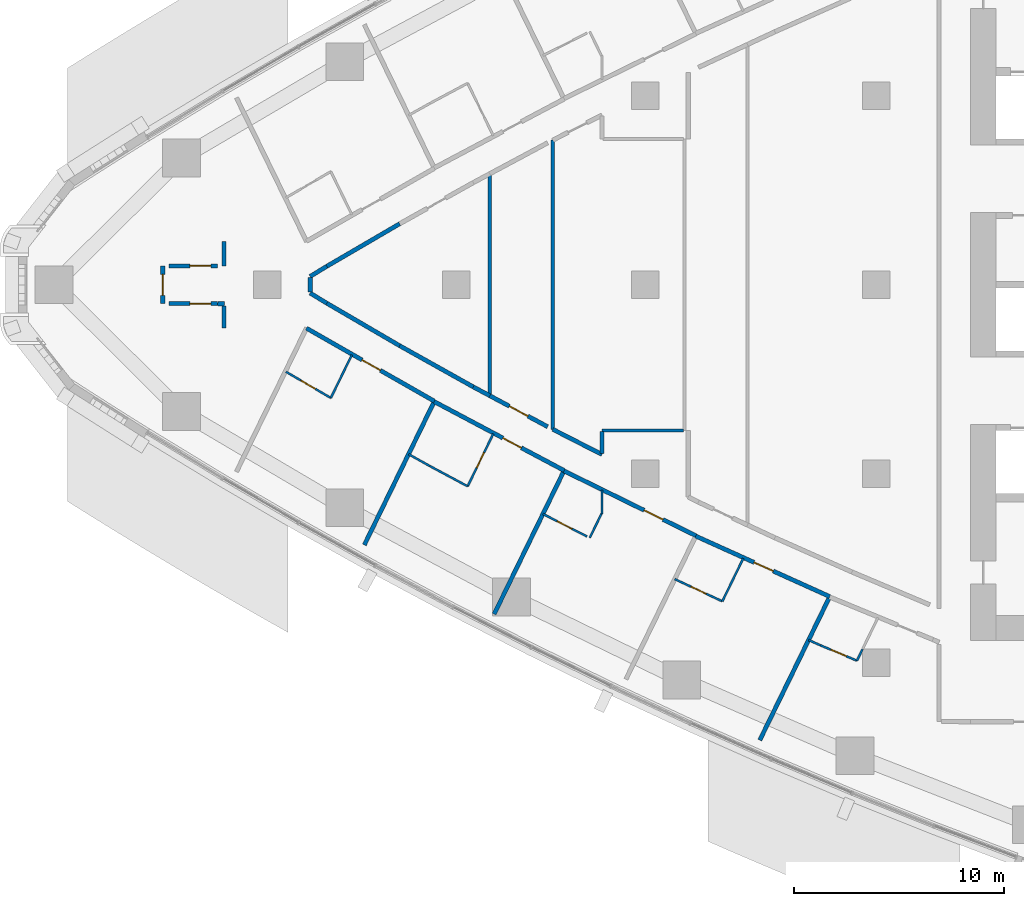
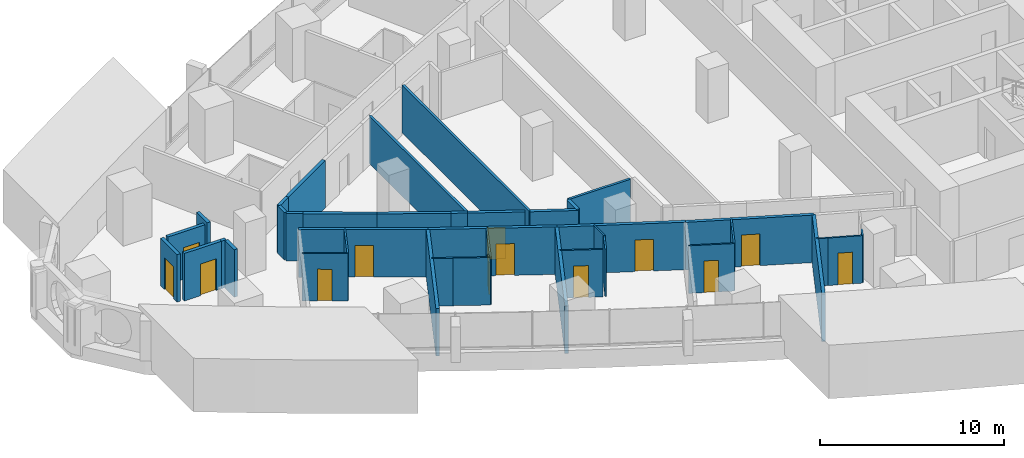
# One storey, part 9 of 19: 39 walls, 13 doors, 13 openings.
"""IFC4 building model written with IfcOpenShell, lengths in metres."""

from ifc_helpers import new_model, si_unit, direction, frame, frame_2d, origin, place, context, subcontext, project, spatial, rectangle, extrude, material, layer, layer_set, type_object, element, fill, save


model = new_model("IFC4")

# Units and contexts
model_context = context("Model", 3, precision=1e-05, world=origin(), true_north=direction((0.0, 1.0)))
body_context = subcontext(model_context, "Body", "Model", "MODEL_VIEW")
ifc_project = project(units=[si_unit("LENGTHUNIT", "METRE"), si_unit("AREAUNIT", "SQUARE_METRE"), si_unit("VOLUMEUNIT", "CUBIC_METRE"), si_unit("PLANEANGLEUNIT", "RADIAN"), si_unit("MASSUNIT", "GRAM", prefix="KILO")], contexts=[model_context])

# Site, building, storey
site_placement = place(None, origin())
site = spatial("IfcSite", under=ifc_project, at=site_placement, CompositionType="ELEMENT")
building_placement = place(site_placement, origin())
building = spatial("IfcBuilding", under=site, at=building_placement, Name="Ostrand Prow Hotel Tower", CompositionType="ELEMENT")
storey_placement = place(building_placement, frame((0.0, 0.0, 71.550048828125)))
storey = spatial("IfcBuildingStorey", under=building, at=storey_placement, Name="L16", CompositionType="ELEMENT", Elevation=71.550048828125)

# Wall
ifc_material_1 = material(Name="Plasterboard partition")
ifc_layer_1 = layer(ifc_material_1, 0.10009765625)
ifc_layer_set_1 = layer_set([ifc_layer_1], Name="Plasterboard partition")
wall_type_1 = type_object("IfcWallType", Name="Partition 100 bathroom wall", PredefinedType="PARTITIONING", material=ifc_layer_set_1)
wall_1_placement = place(storey_placement, frame((20.035400390625, -3.338134765625, 0.0), z_axis=(0.0, 0.0, 1.0), x_axis=(-0.438122322582, -0.898915363344, 0.0)))
element("IfcWall", 1, at=wall_1_placement, inside=storey, type_object=wall_type_1, Name="BATHROOM WALL", PredefinedType="PARTITIONING", context=body_context, shape_type="SweptSolid", body=[
    extrude(rectangle(XDim=2.282958984375, YDim=0.10009765625, at=frame_2d((1.1416015625, 0.0))), origin(), (0.0, 0.0, 1.0), 3.14990234375),
])

# Wall, opening, door
wall_2_placement = place(storey_placement, frame((19.034912109375, -5.390380859375, 0.0), z_axis=(0.0, 0.0, 1.0), x_axis=(-0.863707305865, 0.503993739837, 0.0)))
wall_2 = element("IfcWall", 2, at=wall_2_placement, inside=storey, type_object=wall_type_1, Name="BATHROOM WALL", PredefinedType="PARTITIONING", context=body_context, shape_type="SweptSolid", body=[
    extrude(rectangle(XDim=2.473876953125, YDim=0.10009765625, at=frame_2d((1.23681640625, 0.0))), origin(), (0.0, 0.0, 1.0), 3.14990234375),
])
opening_1_placement = place(wall_2_placement, frame((0.85009765625, 0.0, 0.0)))
opening_1 = element("IfcOpeningElement", 3, at=opening_1_placement, cuts=wall_2, Name="Opening D2", PredefinedType="OPENING", context=body_context, shape_type="SweptSolid", body=[
    extrude(rectangle(XDim=0.800048828125, YDim=2.10009765625, at=frame_2d((0.39990234375, 1.050048828125))), frame((0.0, 0.06005859375, 0.0), z_axis=(0.0, -1.0, 0.0), x_axis=(1.0, 0.0, 0.0)), (0.0, 0.0, 1.0), 0.1201171875),
])
ifc_material_2 = material(Name="Timber door leaf", Category="wood")
door_type_1 = type_object("IfcDoorType", Name="Bathroom door 800", OperationType="SINGLE_SWING_LEFT", PredefinedType="DOOR", material=ifc_material_2)
door_1_placement = place(opening_1_placement, origin())
door_1 = element("IfcDoor", 4, at=door_1_placement, inside=storey, type_object=door_type_1, Name="DOOR", OperationType="SINGLE_SWING_LEFT", OverallHeight=2.10009765625, OverallWidth=0.800048828125, PredefinedType="DOOR", context=body_context, shape_type="SweptSolid", body=[
    extrude(rectangle(XDim=0.800048828125, YDim=2.10009765625, at=frame_2d((0.39990234375, 1.050048828125))), frame((0.0, 0.02490234375, 0.0), z_axis=(0.0, -1.0, 0.0), x_axis=(1.0, 0.0, 0.0)), (0.0, 0.0, 1.0), 0.050048828125),
])
fill(opening_1, door_1)

wall_3_placement = place(storey_placement, frame((26.76806640625, -7.099609375, 0.0), z_axis=(0.0, 0.0, 1.0), x_axis=(-0.43822975423, -0.898862994292, 0.0)))
wall_3 = element("IfcWall", 5, at=wall_3_placement, inside=storey, type_object=wall_type_1, Name="BATHROOM WALL", PredefinedType="PARTITIONING", context=body_context, shape_type="SweptSolid", body=[
    extrude(rectangle(XDim=2.77880859375, YDim=0.10009765625, at=frame_2d((1.389404296875, 0.0))), origin(), (0.0, 0.0, 1.0), 3.14990234375),
])
opening_2_placement = place(wall_3_placement, frame((1.0, 0.0, 0.0)))
opening_2 = element("IfcOpeningElement", 6, at=opening_2_placement, cuts=wall_3, Name="Opening D2", PredefinedType="OPENING", context=body_context, shape_type="SweptSolid", body=[
    extrude(rectangle(XDim=0.800048828125, YDim=2.10009765625, at=frame_2d((0.39990234375, 1.050048828125))), frame((0.0, 0.06005859375, 0.0), z_axis=(0.0, -1.0, 0.0), x_axis=(1.0, 0.0, 0.0)), (0.0, 0.0, 1.0), 0.1201171875),
])
door_2_placement = place(opening_2_placement, origin())
door_2 = element("IfcDoor", 7, at=door_2_placement, inside=storey, type_object=door_type_1, Name="DOOR", OperationType="SINGLE_SWING_LEFT", OverallHeight=2.10009765625, OverallWidth=0.800048828125, PredefinedType="DOOR", context=body_context, shape_type="SweptSolid", body=[
    extrude(rectangle(XDim=0.800048828125, YDim=2.10009765625, at=frame_2d((0.39990234375, 1.050048828125))), frame((0.0, 0.02490234375, 0.0), z_axis=(0.0, -1.0, 0.0), x_axis=(1.0, 0.0, 0.0)), (0.0, 0.0, 1.0), 0.050048828125),
])
fill(opening_2, door_2)

# Walls
wall_4_placement = place(storey_placement, frame((25.55029296875, -9.597412109375, 0.0), z_axis=(0.0, 0.0, 1.0), x_axis=(-0.881675736231, 0.471855800156, 0.0)))
element("IfcWall", 8, at=wall_4_placement, inside=storey, type_object=wall_type_1, Name="BATHROOM WALL", PredefinedType="PARTITIONING", context=body_context, shape_type="SweptSolid", body=[
    extrude(rectangle(XDim=2.03857421875, YDim=0.10009765625, at=frame_2d((1.019287109375, 0.0))), origin(), (0.0, 0.0, 1.0), 3.14990234375),
])
wall_5_placement = place(storey_placement, frame((23.7529296875, -8.635498046875, 0.0), z_axis=(0.0, 0.0, 1.0), x_axis=(-0.872799020153, 0.488079778745, 0.0)))
element("IfcWall", 9, at=wall_5_placement, inside=storey, type_object=wall_type_1, Name="BATHROOM WALL", PredefinedType="PARTITIONING", context=body_context, shape_type="SweptSolid", body=[
    extrude(rectangle(XDim=1.16455078125, YDim=0.10009765625, at=frame_2d((0.582275390625, 0.0))), origin(), (0.0, 0.0, 1.0), 3.14990234375),
])
wall_6_placement = place(storey_placement, frame((31.92529296875, -10.89794921875, 0.0), z_axis=(0.0, 0.0, 1.0), x_axis=(-0.438356099343, -0.898801385273, 0.0)))
element("IfcWall", 10, at=wall_6_placement, inside=storey, type_object=wall_type_1, Name="BATHROOM WALL", PredefinedType="PARTITIONING", context=body_context, shape_type="SweptSolid", body=[
    extrude(rectangle(XDim=1.281982421875, YDim=0.10009765625, at=frame_2d((0.64111328125, 0.0))), origin(), (0.0, 0.0, 1.0), 3.14990234375),
])

# Wall, opening, door
wall_7_placement = place(storey_placement, frame((31.232177734375, -11.986083984375, 0.0), z_axis=(0.0, 0.0, 1.0), x_axis=(-0.890219804082, 0.45553122881, 0.0)))
wall_7 = element("IfcWall", 11, at=wall_7_placement, inside=storey, type_object=wall_type_1, Name="BATHROOM WALL", PredefinedType="PARTITIONING", context=body_context, shape_type="SweptSolid", body=[
    extrude(rectangle(XDim=2.3544921875, YDim=0.10009765625, at=frame_2d((1.17724609375, 0.0))), origin(), (0.0, 0.0, 1.0), 3.14990234375),
])
opening_3_placement = place(wall_7_placement, frame((0.800048828125, 0.0, 0.0)))
opening_3 = element("IfcOpeningElement", 12, at=opening_3_placement, cuts=wall_7, Name="Opening D2", PredefinedType="OPENING", context=body_context, shape_type="SweptSolid", body=[
    extrude(rectangle(XDim=0.800048828125, YDim=2.10009765625, at=frame_2d((0.39990234375, 1.050048828125))), frame((0.0, 0.06005859375, 0.0), z_axis=(0.0, -1.0, 0.0), x_axis=(1.0, 0.0, 0.0)), (0.0, 0.0, 1.0), 0.1201171875),
])
door_3_placement = place(opening_3_placement, origin())
door_3 = element("IfcDoor", 13, at=door_3_placement, inside=storey, type_object=door_type_1, Name="DOOR", OperationType="SINGLE_SWING_LEFT", OverallHeight=2.10009765625, OverallWidth=0.800048828125, PredefinedType="DOOR", context=body_context, shape_type="SweptSolid", body=[
    extrude(rectangle(XDim=0.800048828125, YDim=2.10009765625, at=frame_2d((0.39990234375, 1.050048828125))), frame((0.0, 0.02490234375, 0.0), z_axis=(0.0, -1.0, 0.0), x_axis=(1.0, 0.0, 0.0)), (0.0, 0.0, 1.0), 0.050048828125),
])
fill(opening_3, door_3)

# Wall
wall_8_placement = place(storey_placement, frame((38.6748046875, -13.026611328125, 0.0), z_axis=(0.0, 0.0, 1.0), x_axis=(-0.43818492173, -0.89888485045, 0.0)))
element("IfcWall", 14, at=wall_8_placement, inside=storey, type_object=wall_type_1, Name="BATHROOM WALL", PredefinedType="PARTITIONING", context=body_context, shape_type="SweptSolid", body=[
    extrude(rectangle(XDim=2.277099609375, YDim=0.10009765625, at=frame_2d((1.138671875, 0.0))), origin(), (0.0, 0.0, 1.0), 3.14990234375),
])

# Wall, opening, door
wall_9_placement = place(storey_placement, frame((37.677001953125, -15.07373046875, 0.0), z_axis=(0.0, 0.0, 1.0), x_axis=(-0.906317797926, 0.422596792655, 0.0)))
wall_9 = element("IfcWall", 15, at=wall_9_placement, inside=storey, type_object=wall_type_1, Name="BATHROOM WALL", PredefinedType="PARTITIONING", context=body_context, shape_type="SweptSolid", body=[
    extrude(rectangle(XDim=2.500244140625, YDim=0.10009765625, at=frame_2d((1.25, 0.0))), origin(), (0.0, 0.0, 1.0), 3.14990234375),
])
opening_4_placement = place(wall_9_placement, frame((0.85009765625, 0.0, 0.0)))
opening_4 = element("IfcOpeningElement", 16, at=opening_4_placement, cuts=wall_9, Name="Opening D2", PredefinedType="OPENING", context=body_context, shape_type="SweptSolid", body=[
    extrude(rectangle(XDim=0.800048828125, YDim=2.10009765625, at=frame_2d((0.39990234375, 1.050048828125))), frame((0.0, 0.06005859375, 0.0), z_axis=(0.0, -1.0, 0.0), x_axis=(1.0, 0.0, 0.0)), (0.0, 0.0, 1.0), 0.1201171875),
])
door_4_placement = place(opening_4_placement, origin())
door_4 = element("IfcDoor", 17, at=door_4_placement, inside=storey, type_object=door_type_1, Name="DOOR", OperationType="SINGLE_SWING_LEFT", OverallHeight=2.10009765625, OverallWidth=0.800048828125, PredefinedType="DOOR", context=body_context, shape_type="SweptSolid", body=[
    extrude(rectangle(XDim=0.800048828125, YDim=2.10009765625, at=frame_2d((0.39990234375, 1.050048828125))), frame((0.0, 0.02490234375, 0.0), z_axis=(0.0, -1.0, 0.0), x_axis=(1.0, 0.0, 0.0)), (0.0, 0.0, 1.0), 0.050048828125),
])
fill(opening_4, door_4)

# Wall
wall_10_placement = place(storey_placement, frame((44.35009765625, -17.35986328125, 0.0), z_axis=(0.0, 0.0, 1.0), x_axis=(-0.438279975423, -0.898838507822, 0.0)))
element("IfcWall", 18, at=wall_10_placement, inside=storey, type_object=wall_type_1, Name="BATHROOM WALL", PredefinedType="PARTITIONING", context=body_context, shape_type="SweptSolid", body=[
    extrude(rectangle(XDim=0.602783203125, YDim=0.10009765625, at=frame_2d((0.30126953125, 0.0))), origin(), (0.0, 0.0, 1.0), 3.14990234375),
])

# Wall, opening, door
wall_11_placement = place(storey_placement, frame((44.0859375, -17.901611328125, 0.0), z_axis=(0.0, 0.0, 1.0), x_axis=(-0.921263923232, 0.38893802045, 0.0)))
wall_11 = element("IfcWall", 19, at=wall_11_placement, inside=storey, type_object=wall_type_1, Name="BATHROOM WALL", PredefinedType="PARTITIONING", context=body_context, shape_type="SweptSolid", body=[
    extrude(rectangle(XDim=1.89501953125, YDim=0.10009765625, at=frame_2d((0.947509765625, 0.0))), origin(), (0.0, 0.0, 1.0), 3.14990234375),
])
opening_5_placement = place(wall_11_placement, frame((0.550048828125, 0.0, 0.0)))
opening_5 = element("IfcOpeningElement", 20, at=opening_5_placement, cuts=wall_11, Name="Opening D2", PredefinedType="OPENING", context=body_context, shape_type="SweptSolid", body=[
    extrude(rectangle(XDim=0.800048828125, YDim=2.10009765625, at=frame_2d((0.39990234375, 1.050048828125))), frame((0.0, 0.06005859375, 0.0), z_axis=(0.0, -1.0, 0.0), x_axis=(1.0, 0.0, 0.0)), (0.0, 0.0, 1.0), 0.1201171875),
])
door_5_placement = place(opening_5_placement, origin())
door_5 = element("IfcDoor", 21, at=door_5_placement, inside=storey, type_object=door_type_1, Name="DOOR", OperationType="SINGLE_SWING_LEFT", OverallHeight=2.10009765625, OverallWidth=0.800048828125, PredefinedType="DOOR", context=body_context, shape_type="SweptSolid", body=[
    extrude(rectangle(XDim=0.800048828125, YDim=2.10009765625, at=frame_2d((0.39990234375, 1.050048828125))), frame((0.0, 0.02490234375, 0.0), z_axis=(0.0, -1.0, 0.0), x_axis=(1.0, 0.0, 0.0)), (0.0, 0.0, 1.0), 0.050048828125),
])
fill(opening_5, door_5)

# Walls
wall_12_placement = place(storey_placement, frame((42.33984375, -17.16455078125, 0.0), z_axis=(0.0, 0.0, 1.0), x_axis=(-0.913894320415, 0.405952178357, 0.0)))
element("IfcWall", 22, at=wall_12_placement, inside=storey, type_object=wall_type_1, Name="BATHROOM WALL", PredefinedType="PARTITIONING", context=body_context, shape_type="SweptSolid", body=[
    extrude(rectangle(XDim=0.60791015625, YDim=0.10009765625, at=frame_2d((0.303955078125, 0.0))), origin(), (0.0, 0.0, 1.0), 3.14990234375),
])
wall_13_placement = place(storey_placement, frame((31.945068359375, -9.77294921875, 0.0), z_axis=(0.0, 0.0, 1.0), x_axis=(0.0, -1.0, 0.0)))
element("IfcWall", 23, at=wall_13_placement, inside=storey, type_object=wall_type_1, Name="BATHROOM WALL", PredefinedType="PARTITIONING", context=body_context, shape_type="SweptSolid", body=[
    extrude(rectangle(XDim=1.15283203125, YDim=0.10009765625, at=frame_2d((0.576416015625, 0.0))), origin(), (0.0, 0.0, 1.0), 3.14990234375),
])
ifc_material_3 = material(Name="Plasterboard partition")
ifc_layer_2 = layer(ifc_material_3, 0.14990234375)
ifc_layer_set_2 = layer_set([ifc_layer_2], Name="Plasterboard partition")
wall_type_2 = type_object("IfcWallType", Name="Partition 150 room partition", PredefinedType="PARTITIONING", material=ifc_layer_set_2)
wall_14_placement = place(storey_placement, frame((26.603515625, -5.283935546875, 0.0), z_axis=(0.0, 0.0, 1.0), x_axis=(0.0, 1.0, 0.0)))
element("IfcWall", 24, at=wall_14_placement, inside=storey, type_object=wall_type_2, Name="ROOM PARTITION", PredefinedType="PARTITIONING", context=body_context, shape_type="SweptSolid", body=[
    extrude(rectangle(XDim=10.56787109375, YDim=0.14990234375, at=frame_2d((5.283935546875, 0.0))), origin(), (0.0, 0.0, 1.0), 3.14990234375),
])
wall_15_placement = place(storey_placement, frame((29.603515625, -6.884033203125, 0.0), z_axis=(0.0, 0.0, 1.0), x_axis=(0.0, 1.0, 0.0)))
element("IfcWall", 25, at=wall_15_placement, inside=storey, type_object=wall_type_2, Name="ROOM PARTITION", PredefinedType="PARTITIONING", context=body_context, shape_type="SweptSolid", body=[
    extrude(rectangle(XDim=13.76806640625, YDim=0.14990234375, at=frame_2d((6.884033203125, 0.0))), origin(), (0.0, 0.0, 1.0), 3.14990234375),
])
wall_16_placement = place(storey_placement, frame((35.836181640625, -6.945068359375, 0.0), z_axis=(0.0, 0.0, 1.0), x_axis=(-0.999999998028, -6.2798292e-05, 0.0)))
element("IfcWall", 26, at=wall_16_placement, inside=storey, type_object=wall_type_2, Name="ROOM PARTITION", PredefinedType="PARTITIONING", context=body_context, shape_type="SweptSolid", body=[
    extrude(rectangle(XDim=3.8876953125, YDim=0.14990234375, at=frame_2d((1.94384765625, 0.0))), origin(), (0.0, 0.0, 1.0), 3.14990234375),
])

# Wall, opening, door
ifc_material_4 = material(Name="Plasterboard partition")
ifc_layer_3 = layer(ifc_material_4, 0.199951171875)
ifc_layer_set_3 = layer_set([ifc_layer_3], Name="Plasterboard partition")
wall_type_3 = type_object("IfcWallType", Name="Partition 200 corridor wall", PredefinedType="PARTITIONING", material=ifc_layer_set_3)
wall_17_placement = place(storey_placement, frame((17.87353515625, -2.068115234375, 0.0), z_axis=(0.0, 0.0, 1.0), x_axis=(0.868427275315, -0.495816566373, 0.0)))
wall_17 = element("IfcWall", 27, at=wall_17_placement, inside=storey, type_object=wall_type_3, Name="CORRIDOR WALL", PredefinedType="PARTITIONING", context=body_context, shape_type="SweptSolid", body=[
    extrude(rectangle(XDim=7.0146484375, YDim=0.199951171875, at=frame_2d((3.50732421875, 0.0))), origin(), (0.0, 0.0, 1.0), 3.14990234375),
])
opening_6_placement = place(wall_17_placement, frame((3.050048828125, 0.0, 0.0)))
opening_6 = element("IfcOpeningElement", 28, at=opening_6_placement, cuts=wall_17, Name="Opening D1R", PredefinedType="OPENING", context=body_context, shape_type="SweptSolid", body=[
    extrude(rectangle(XDim=1.0, YDim=2.10009765625, at=frame_2d((0.5, 1.050048828125))), frame((0.0, 0.10986328125, 0.0), z_axis=(0.0, -1.0, 0.0), x_axis=(1.0, 0.0, 0.0)), (0.0, 0.0, 1.0), 0.219970703125),
])
ifc_material_5 = material(Name="Timber door leaf", Category="wood")
door_type_2 = type_object("IfcDoorType", Name="Guest room door 1000 right", OperationType="SINGLE_SWING_RIGHT", PredefinedType="DOOR", material=ifc_material_5)
door_6_placement = place(opening_6_placement, origin())
door_6 = element("IfcDoor", 29, at=door_6_placement, inside=storey, type_object=door_type_2, Name="DOOR", OperationType="SINGLE_SWING_RIGHT", OverallHeight=2.10009765625, OverallWidth=1.0, PredefinedType="DOOR", context=body_context, shape_type="SweptSolid", body=[
    extrude(rectangle(XDim=1.0, YDim=2.10009765625, at=frame_2d((0.5, 1.050048828125))), frame((0.0, 0.02490234375, 0.0), z_axis=(0.0, -1.0, 0.0), x_axis=(1.0, 0.0, 0.0)), (0.0, 0.0, 1.0), 0.050048828125),
])
fill(opening_6, door_6)

wall_18_placement = place(storey_placement, frame((23.95654296875, -5.564208984375, 0.0), z_axis=(0.0, 0.0, 1.0), x_axis=(0.883455325405, -0.468515408513, 0.0)))
wall_18 = element("IfcWall", 30, at=wall_18_placement, inside=storey, type_object=wall_type_3, Name="CORRIDOR WALL", PredefinedType="PARTITIONING", context=body_context, shape_type="SweptSolid", body=[
    extrude(rectangle(XDim=7.00390625, YDim=0.199951171875, at=frame_2d((3.501953125, 0.0))), origin(), (0.0, 0.0, 1.0), 3.14990234375),
])
opening_7_placement = place(wall_18_placement, frame((3.699951171875, 0.0, 0.0)))
opening_7 = element("IfcOpeningElement", 31, at=opening_7_placement, cuts=wall_18, Name="Opening D1R", PredefinedType="OPENING", context=body_context, shape_type="SweptSolid", body=[
    extrude(rectangle(XDim=1.0, YDim=2.10009765625, at=frame_2d((0.5, 1.050048828125))), frame((0.0, 0.10986328125, 0.0), z_axis=(0.0, -1.0, 0.0), x_axis=(1.0, 0.0, 0.0)), (0.0, 0.0, 1.0), 0.219970703125),
])
door_7_placement = place(opening_7_placement, origin())
door_7 = element("IfcDoor", 32, at=door_7_placement, inside=storey, type_object=door_type_2, Name="DOOR", OperationType="SINGLE_SWING_RIGHT", OverallHeight=2.10009765625, OverallWidth=1.0, PredefinedType="DOOR", context=body_context, shape_type="SweptSolid", body=[
    extrude(rectangle(XDim=1.0, YDim=2.10009765625, at=frame_2d((0.5, 1.050048828125))), frame((0.0, 0.02490234375, 0.0), z_axis=(0.0, -1.0, 0.0), x_axis=(1.0, 0.0, 0.0)), (0.0, 0.0, 1.0), 0.050048828125),
])
fill(opening_7, door_7)

wall_19_placement = place(storey_placement, frame((30.135498046875, -8.86376953125, 0.0), z_axis=(0.0, 0.0, 1.0), x_axis=(0.897599118183, -0.44081268475, 0.0)))
wall_19 = element("IfcWall", 33, at=wall_19_placement, inside=storey, type_object=wall_type_3, Name="CORRIDOR WALL", PredefinedType="PARTITIONING", context=body_context, shape_type="SweptSolid", body=[
    extrude(rectangle(XDim=7.0, YDim=0.199951171875, at=frame_2d((3.5, 0.0))), origin(), (0.0, 0.0, 1.0), 3.14990234375),
])
opening_8_placement = place(wall_19_placement, frame((4.25, 0.0, 0.0)))
opening_8 = element("IfcOpeningElement", 34, at=opening_8_placement, cuts=wall_19, Name="Opening D1R", PredefinedType="OPENING", context=body_context, shape_type="SweptSolid", body=[
    extrude(rectangle(XDim=1.0, YDim=2.10009765625, at=frame_2d((0.5, 1.050048828125))), frame((0.0, 0.10986328125, 0.0), z_axis=(0.0, -1.0, 0.0), x_axis=(1.0, 0.0, 0.0)), (0.0, 0.0, 1.0), 0.219970703125),
])
door_8_placement = place(opening_8_placement, origin())
door_8 = element("IfcDoor", 35, at=door_8_placement, inside=storey, type_object=door_type_2, Name="DOOR", OperationType="SINGLE_SWING_RIGHT", OverallHeight=2.10009765625, OverallWidth=1.0, PredefinedType="DOOR", context=body_context, shape_type="SweptSolid", body=[
    extrude(rectangle(XDim=1.0, YDim=2.10009765625, at=frame_2d((0.5, 1.050048828125))), frame((0.0, 0.02490234375, 0.0), z_axis=(0.0, -1.0, 0.0), x_axis=(1.0, 0.0, 0.0)), (0.0, 0.0, 1.0), 0.050048828125),
])
fill(opening_8, door_8)

wall_20_placement = place(storey_placement, frame((36.409912109375, -11.967529296875, 0.0), z_axis=(0.0, 0.0, 1.0), x_axis=(0.911422478094, -0.411471829443, 0.0)))
wall_20 = element("IfcWall", 36, at=wall_20_placement, inside=storey, type_object=wall_type_3, Name="CORRIDOR WALL", PredefinedType="PARTITIONING", context=body_context, shape_type="SweptSolid", body=[
    extrude(rectangle(XDim=7.003173828125, YDim=0.199951171875, at=frame_2d((3.50146484375, 0.0))), origin(), (0.0, 0.0, 1.0), 3.14990234375),
])
opening_9_placement = place(wall_20_placement, frame((3.050048828125, 0.0, 0.0)))
opening_9 = element("IfcOpeningElement", 37, at=opening_9_placement, cuts=wall_20, Name="Opening D1R", PredefinedType="OPENING", context=body_context, shape_type="SweptSolid", body=[
    extrude(rectangle(XDim=1.0, YDim=2.10009765625, at=frame_2d((0.5, 1.050048828125))), frame((0.0, 0.10986328125, 0.0), z_axis=(0.0, -1.0, 0.0), x_axis=(1.0, 0.0, 0.0)), (0.0, 0.0, 1.0), 0.219970703125),
])
door_9_placement = place(opening_9_placement, origin())
door_9 = element("IfcDoor", 38, at=door_9_placement, inside=storey, type_object=door_type_2, Name="DOOR", OperationType="SINGLE_SWING_RIGHT", OverallHeight=2.10009765625, OverallWidth=1.0, PredefinedType="DOOR", context=body_context, shape_type="SweptSolid", body=[
    extrude(rectangle(XDim=1.0, YDim=2.10009765625, at=frame_2d((0.5, 1.050048828125))), frame((0.0, 0.02490234375, 0.0), z_axis=(0.0, -1.0, 0.0), x_axis=(1.0, 0.0, 0.0)), (0.0, 0.0, 1.0), 0.050048828125),
])
fill(opening_9, door_9)

# Walls
wall_21_placement = place(storey_placement, frame((26.603515625, -5.283935546875, 0.0), z_axis=(0.0, 0.0, 1.0), x_axis=(-0.881715816073, 0.471780902207, 0.0)))
element("IfcWall", 39, at=wall_21_placement, inside=storey, type_object=wall_type_3, Name="CORRIDOR WALL", PredefinedType="PARTITIONING", context=body_context, shape_type="SweptSolid", body=[
    extrude(rectangle(XDim=0.89208984375, YDim=0.199951171875, at=frame_2d((0.446044921875, 0.0))), origin(), (0.0, 0.0, 1.0), 3.14990234375),
])
wall_22_placement = place(storey_placement, frame((25.81689453125, -4.863037109375, 0.0), z_axis=(0.0, 0.0, 1.0), x_axis=(-0.872800289292, 0.488077509225, 0.0)))
element("IfcWall", 40, at=wall_22_placement, inside=storey, type_object=wall_type_3, Name="CORRIDOR WALL", PredefinedType="PARTITIONING", context=body_context, shape_type="SweptSolid", body=[
    extrude(rectangle(XDim=4.015625, YDim=0.199951171875, at=frame_2d((2.0078125, 0.0))), origin(), (0.0, 0.0, 1.0), 3.14990234375),
])
wall_23_placement = place(storey_placement, frame((22.31201171875, -2.903076171875, 0.0), z_axis=(0.0, 0.0, 1.0), x_axis=(-0.863710538269, 0.503988200341, 0.0)))
element("IfcWall", 41, at=wall_23_placement, inside=storey, type_object=wall_type_3, Name="CORRIDOR WALL", PredefinedType="PARTITIONING", context=body_context, shape_type="SweptSolid", body=[
    extrude(rectangle(XDim=4.015869140625, YDim=0.199951171875, at=frame_2d((2.0078125, 0.0))), origin(), (0.0, 0.0, 1.0), 3.14990234375),
])
for number, where, z_axis, x_axis, name in (
    (42, (18.843505859375, -0.879150390625, 0.0), (0.0, 0.0, 1.0), (-0.8542290073, 0.519896915828, 0.0), "CORRIDOR WALL"),
    (43, (18.050048828125, 0.396240234375, 0.0), (0.0, 0.0, 1.0), (0.8542290073, 0.519896915828, 0.0), "CORRIDOR WALL"),
):
    element("IfcWall", number, at=place(storey_placement, frame(where, z_axis=z_axis, x_axis=x_axis)), inside=storey, type_object=wall_type_3, Name=name, PredefinedType="PARTITIONING", context=body_context, shape_type="SweptSolid", body=[
        extrude(rectangle(XDim=0.928955078125, YDim=0.199951171875, at=frame_2d((0.46435546875, 0.0))), origin(), (0.0, 0.0, 1.0), 3.14990234375),
    ])
wall_24_placement = place(storey_placement, frame((18.843505859375, 0.879150390625, 0.0), z_axis=(0.0, 0.0, 1.0), x_axis=(0.863710538269, 0.503988200341, 0.0)))
element("IfcWall", 44, at=wall_24_placement, inside=storey, type_object=wall_type_3, Name="CORRIDOR WALL", PredefinedType="PARTITIONING", context=body_context, shape_type="SweptSolid", body=[
    extrude(rectangle(XDim=4.015869140625, YDim=0.199951171875, at=frame_2d((2.0078125, 0.0))), origin(), (0.0, 0.0, 1.0), 3.14990234375),
])

# Wall, opening, door
wall_25_placement = place(storey_placement, frame((29.357421875, -6.758056640625, 0.0), z_axis=(0.0, 0.0, 1.0), x_axis=(-0.881637943627, 0.471926409895, 0.0)))
wall_25 = element("IfcWall", 45, at=wall_25_placement, inside=storey, type_object=wall_type_3, Name="CORRIDOR WALL", PredefinedType="PARTITIONING", context=body_context, shape_type="SweptSolid", body=[
    extrude(rectangle(XDim=3.12353515625, YDim=0.199951171875, at=frame_2d((1.561767578125, 0.0))), origin(), (0.0, 0.0, 1.0), 3.14990234375),
])
opening_10_placement = place(wall_25_placement, frame((1.061767578125, 0.0, 0.0)))
opening_10 = element("IfcOpeningElement", 46, at=opening_10_placement, cuts=wall_25, Name="Opening D1R", PredefinedType="OPENING", context=body_context, shape_type="SweptSolid", body=[
    extrude(rectangle(XDim=1.0, YDim=2.10009765625, at=frame_2d((0.5, 1.050048828125))), frame((0.0, 0.10986328125, 0.0), z_axis=(0.0, -1.0, 0.0), x_axis=(1.0, 0.0, 0.0)), (0.0, 0.0, 1.0), 0.219970703125),
])
door_10_placement = place(opening_10_placement, origin())
door_10 = element("IfcDoor", 47, at=door_10_placement, inside=storey, type_object=door_type_2, Name="DOOR", OperationType="SINGLE_SWING_RIGHT", OverallHeight=2.10009765625, OverallWidth=1.0, PredefinedType="DOOR", context=body_context, shape_type="SweptSolid", body=[
    extrude(rectangle(XDim=1.0, YDim=2.10009765625, at=frame_2d((0.5, 1.050048828125))), frame((0.0, 0.02490234375, 0.0), z_axis=(0.0, -1.0, 0.0), x_axis=(1.0, 0.0, 0.0)), (0.0, 0.0, 1.0), 0.050048828125),
])
fill(opening_10, door_10)

# Wall
wall_26_placement = place(storey_placement, frame((31.949951171875, -8.084716796875, 0.0), z_axis=(0.0, 0.0, 1.0), x_axis=(-0.890220210981, 0.455530433628, 0.0)))
element("IfcWall", 48, at=wall_26_placement, inside=storey, type_object=wall_type_3, Name="CORRIDOR WALL", PredefinedType="PARTITIONING", context=body_context, shape_type="SweptSolid", body=[
    extrude(rectangle(XDim=2.6357421875, YDim=0.199951171875, at=frame_2d((1.31787109375, 0.0))), origin(), (0.0, 0.0, 1.0), 3.14990234375),
])

# Wall, opening, door
wall_27_placement = place(storey_placement, frame((11.327392578125, 0.89990234375, 0.0), z_axis=(0.0, 0.0, 1.0), x_axis=(1.0, 0.0, 0.0)))
wall_27 = element("IfcWall", 49, at=wall_27_placement, inside=storey, type_object=wall_type_3, Name="CORRIDOR WALL", PredefinedType="PARTITIONING", context=body_context, shape_type="SweptSolid", body=[
    extrude(rectangle(XDim=2.322509765625, YDim=0.199951171875, at=frame_2d((1.1611328125, 0.0))), origin(), (0.0, 0.0, 1.0), 3.14990234375),
])
opening_11_placement = place(wall_27_placement, frame((0.9951171875, 0.0, 0.0)))
opening_11 = element("IfcOpeningElement", 50, at=opening_11_placement, cuts=wall_27, Name="Opening D1", PredefinedType="OPENING", context=body_context, shape_type="SweptSolid", body=[
    extrude(rectangle(XDim=1.0, YDim=2.10009765625, at=frame_2d((0.5, 1.050048828125))), frame((0.0, 0.10986328125, 0.0), z_axis=(0.0, -1.0, 0.0), x_axis=(1.0, 0.0, 0.0)), (0.0, 0.0, 1.0), 0.219970703125),
])
ifc_material_6 = material(Name="Timber door leaf", Category="wood")
door_type_3 = type_object("IfcDoorType", Name="Guest room door 1000", OperationType="SINGLE_SWING_LEFT", PredefinedType="DOOR", material=ifc_material_6)
door_11_placement = place(opening_11_placement, origin())
door_11 = element("IfcDoor", 51, at=door_11_placement, inside=storey, type_object=door_type_3, Name="DOOR", OperationType="SINGLE_SWING_LEFT", OverallHeight=2.10009765625, OverallWidth=1.0, PredefinedType="DOOR", context=body_context, shape_type="SweptSolid", body=[
    extrude(rectangle(XDim=1.0, YDim=2.10009765625, at=frame_2d((0.5, 1.050048828125))), frame((0.0, 0.02490234375, 0.0), z_axis=(0.0, -1.0, 0.0), x_axis=(1.0, 0.0, 0.0)), (0.0, 0.0, 1.0), 0.050048828125),
])
fill(opening_11, door_11)

wall_28_placement = place(storey_placement, frame((11.327392578125, -0.89990234375, 0.0), z_axis=(0.0, 0.0, 1.0), x_axis=(1.0, 0.0, 0.0)))
wall_28 = element("IfcWall", 52, at=wall_28_placement, inside=storey, type_object=wall_type_3, Name="CORRIDOR WALL", PredefinedType="PARTITIONING", context=body_context, shape_type="SweptSolid", body=[
    extrude(rectangle(XDim=2.322509765625, YDim=0.199951171875, at=frame_2d((1.1611328125, 0.0))), origin(), (0.0, 0.0, 1.0), 3.14990234375),
])
opening_12_placement = place(wall_28_placement, frame((0.9951171875, 0.0, 0.0)))
opening_12 = element("IfcOpeningElement", 53, at=opening_12_placement, cuts=wall_28, Name="Opening D1R", PredefinedType="OPENING", context=body_context, shape_type="SweptSolid", body=[
    extrude(rectangle(XDim=1.0, YDim=2.10009765625, at=frame_2d((0.5, 1.050048828125))), frame((0.0, 0.10986328125, 0.0), z_axis=(0.0, -1.0, 0.0), x_axis=(1.0, 0.0, 0.0)), (0.0, 0.0, 1.0), 0.219970703125),
])
door_12_placement = place(opening_12_placement, origin())
door_12 = element("IfcDoor", 54, at=door_12_placement, inside=storey, type_object=door_type_2, Name="DOOR", OperationType="SINGLE_SWING_RIGHT", OverallHeight=2.10009765625, OverallWidth=1.0, PredefinedType="DOOR", context=body_context, shape_type="SweptSolid", body=[
    extrude(rectangle(XDim=1.0, YDim=2.10009765625, at=frame_2d((0.5, 1.050048828125))), frame((0.0, 0.02490234375, 0.0), z_axis=(0.0, -1.0, 0.0), x_axis=(1.0, 0.0, 0.0)), (0.0, 0.0, 1.0), 0.050048828125),
])
fill(opening_12, door_12)

# Walls
wall_29_placement = place(storey_placement, frame((18.054931640625, -0.356689453125, 0.0), z_axis=(0.0, 0.0, 1.0), x_axis=(0.0, 1.0, 0.0)))
element("IfcWall", 55, at=wall_29_placement, inside=storey, type_object=wall_type_3, Name="CORRIDOR WALL", PredefinedType="PARTITIONING", context=body_context, shape_type="SweptSolid", body=[
    extrude(rectangle(XDim=0.71337890625, YDim=0.199951171875, at=frame_2d((0.356689453125, 0.0))), origin(), (0.0, 0.0, 1.0), 3.14990234375),
])
wall_30_placement = place(storey_placement, frame((31.948486328125, -6.985107421875, 0.0), z_axis=(0.0, 0.0, 1.0), x_axis=(-0.003248242724, -0.999994724446, 0.0)))
element("IfcWall", 56, at=wall_30_placement, inside=storey, type_object=wall_type_3, Name="CORRIDOR WALL", PredefinedType="PARTITIONING", context=body_context, shape_type="SweptSolid", body=[
    extrude(rectangle(XDim=1.05224609375, YDim=0.199951171875, at=frame_2d((0.526123046875, 0.0))), origin(), (0.0, 0.0, 1.0), 3.14990234375),
])
wall_31_placement = place(storey_placement, frame((13.945556640625, 2.052490234375, 0.0), z_axis=(0.0, 0.0, 1.0), x_axis=(-0.000424178117, -0.999999910036, 0.0)))
element("IfcWall", 57, at=wall_31_placement, inside=storey, type_object=wall_type_3, Name="CORRIDOR WALL", PredefinedType="PARTITIONING", context=body_context, shape_type="SweptSolid", body=[
    extrude(rectangle(XDim=1.151123046875, YDim=0.199951171875, at=frame_2d((0.57568359375, 0.0))), origin(), (0.0, 0.0, 1.0), 3.14990234375),
])
wall_32_placement = place(storey_placement, frame((13.64990234375, -0.89990234375, 0.0), z_axis=(0.0, 0.0, 1.0), x_axis=(0.999984810316, -0.005511727301, 0.0)))
element("IfcWall", 58, at=wall_32_placement, inside=storey, type_object=wall_type_3, Name="CORRIDOR WALL", PredefinedType="PARTITIONING", context=body_context, shape_type="SweptSolid", body=[
    extrude(rectangle(XDim=0.31005859375, YDim=0.199951171875, at=frame_2d((0.155029296875, 0.0))), origin(), (0.0, 0.0, 1.0), 3.14990234375),
])
wall_33_placement = place(storey_placement, frame((13.945068359375, -1.021484375, 0.0), z_axis=(0.0, 0.0, 1.0), x_axis=(0.000473596916, -0.999999887853, 0.0)))
element("IfcWall", 59, at=wall_33_placement, inside=storey, type_object=wall_type_3, Name="CORRIDOR WALL", PredefinedType="PARTITIONING", context=body_context, shape_type="SweptSolid", body=[
    extrude(rectangle(XDim=1.031005859375, YDim=0.199951171875, at=frame_2d((0.515625, 0.0))), origin(), (0.0, 0.0, 1.0), 3.14990234375),
])
ifc_material_7 = material(Name="Plasterboard partition")
ifc_layer_4 = layer(ifc_material_7, 0.199951171875)
ifc_layer_set_4 = layer_set([ifc_layer_4], Name="Plasterboard partition")
wall_type_4 = type_object("IfcWallType", Name="Partition 200 key partition", PredefinedType="PARTITIONING", material=ifc_layer_set_4)
wall_34_placement = place(storey_placement, frame((20.6298828125, -12.388427734375, 0.0), z_axis=(0.0, 0.0, 1.0), x_axis=(0.438184754816, 0.898884931816, 0.0)))
element("IfcWall", 60, at=wall_34_placement, inside=storey, type_object=wall_type_4, Name="KEY PARTITION", PredefinedType="PARTITIONING", context=body_context, shape_type="SweptSolid", body=[
    extrude(rectangle(XDim=7.612060546875, YDim=0.199951171875, at=frame_2d((3.80615234375, 0.0))), origin(), (0.0, 0.0, 1.0), 3.14990234375),
])
wall_35_placement = place(storey_placement, frame((26.8134765625, -15.678466796875, 0.0), z_axis=(0.0, 0.0, 1.0), x_axis=(0.438185054829, 0.898884785567, 0.0)))
element("IfcWall", 61, at=wall_35_placement, inside=storey, type_object=wall_type_4, Name="KEY PARTITION", PredefinedType="PARTITIONING", context=body_context, shape_type="SweptSolid", body=[
    extrude(rectangle(XDim=7.601318359375, YDim=0.199951171875, at=frame_2d((3.80078125, 0.0))), origin(), (0.0, 0.0, 1.0), 3.14990234375),
])
wall_36_placement = place(storey_placement, frame((39.460205078125, -21.684814453125, 0.0), z_axis=(0.0, 0.0, 1.0), x_axis=(0.438214892445, 0.898870239823, 0.0)))
element("IfcWall", 62, at=wall_36_placement, inside=storey, type_object=wall_type_4, Name="KEY PARTITION", PredefinedType="PARTITIONING", context=body_context, shape_type="SweptSolid", body=[
    extrude(rectangle(XDim=7.604736328125, YDim=0.199951171875, at=frame_2d((3.80224609375, 0.0))), origin(), (0.0, 0.0, 1.0), 3.14990234375),
])

# Wall, opening, door
ifc_material_8 = material(Name="Plasterboard partition")
ifc_layer_5 = layer(ifc_material_8, 0.199951171875)
ifc_layer_set_5 = layer_set([ifc_layer_5], Name="Plasterboard partition")
wall_type_5 = type_object("IfcWallType", Name="Partition 200 lounge wall", PredefinedType="PARTITIONING", material=ifc_layer_set_5)
wall_37_placement = place(storey_placement, frame((11.02734375, -0.89990234375, 0.0), z_axis=(0.0, 0.0, 1.0), x_axis=(0.0, 1.0, 0.0)))
wall_37 = element("IfcWall", 63, at=wall_37_placement, inside=storey, type_object=wall_type_5, Name="LOUNGE WALL", PredefinedType="PARTITIONING", context=body_context, shape_type="SweptSolid", body=[
    extrude(rectangle(XDim=1.7998046875, YDim=0.199951171875, at=frame_2d((0.89990234375, 0.0))), origin(), (0.0, 0.0, 1.0), 3.14990234375),
])
opening_13_placement = place(wall_37_placement, frame((0.39990234375, 0.0, 0.0)))
opening_13 = element("IfcOpeningElement", 64, at=opening_13_placement, cuts=wall_37, Name="Opening D1", PredefinedType="OPENING", context=body_context, shape_type="SweptSolid", body=[
    extrude(rectangle(XDim=1.0, YDim=2.10009765625, at=frame_2d((0.5, 1.050048828125))), frame((0.0, 0.10986328125, 0.0), z_axis=(0.0, -1.0, 0.0), x_axis=(1.0, 0.0, 0.0)), (0.0, 0.0, 1.0), 0.219970703125),
])
door_13_placement = place(opening_13_placement, origin())
door_13 = element("IfcDoor", 65, at=door_13_placement, inside=storey, type_object=door_type_3, Name="DOOR", OperationType="SINGLE_SWING_LEFT", OverallHeight=2.10009765625, OverallWidth=1.0, PredefinedType="DOOR", context=body_context, shape_type="SweptSolid", body=[
    extrude(rectangle(XDim=1.0, YDim=2.10009765625, at=frame_2d((0.5, 1.050048828125))), frame((0.0, 0.02490234375, 0.0), z_axis=(0.0, -1.0, 0.0), x_axis=(1.0, 0.0, 0.0)), (0.0, 0.0, 1.0), 0.050048828125),
])
fill(opening_13, door_13)

save(model, "model.ifc")
